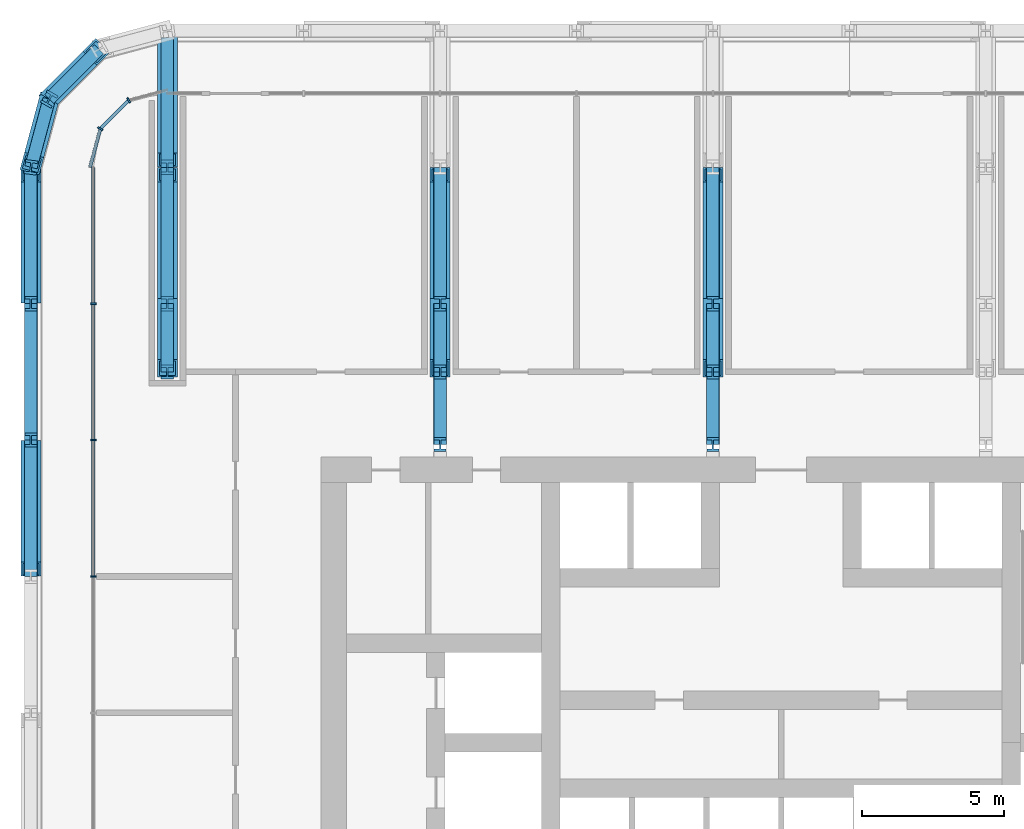
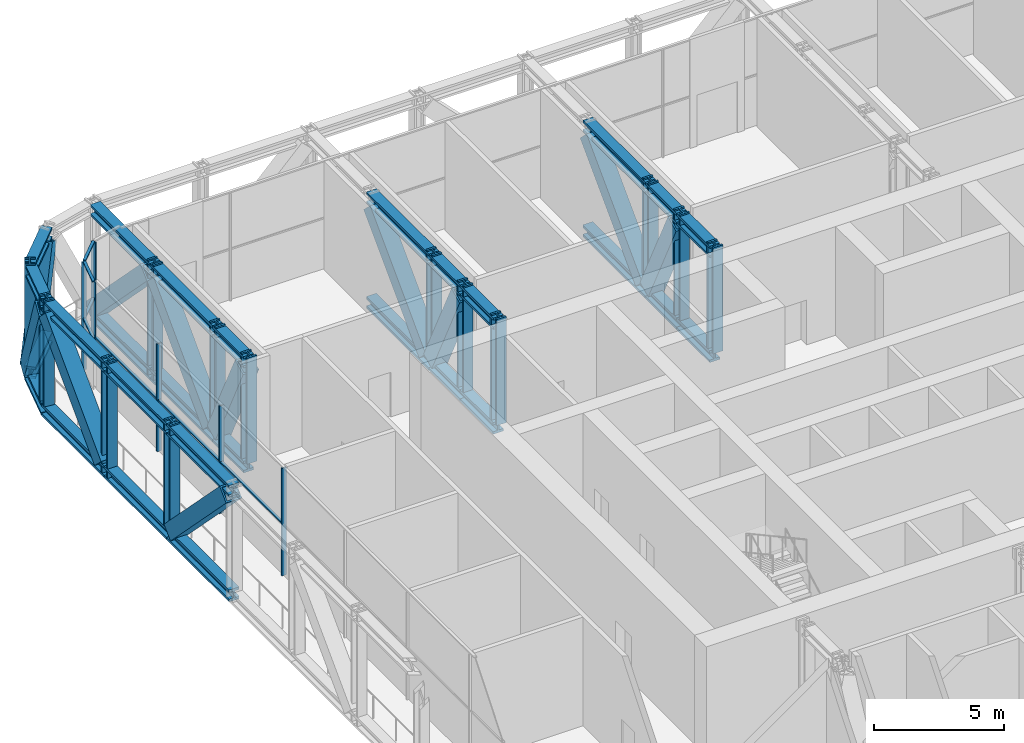
# One storey, part 8 of 23: 64 members, 2 elements without a shape of their own.
"""IFC4 building model written with IfcOpenShell, lengths in metres."""

from ifc_helpers import new_model, si_unit, direction, frame, origin, origin_2d, place, context, subcontext, project, spatial, rectangle, hollow_rectangle, i_section, extrude, material, layer, layer_set, material_profile, profile_set, type_object, element, aggregate, save


model = new_model("IFC4")

# Units and contexts
model_context = context("Model", 3, precision=1e-05, world=origin(), true_north=direction((0.0, 1.0)))
body_context = subcontext(model_context, "Body", "Model", "MODEL_VIEW")
ifc_project = project(units=[si_unit("LENGTHUNIT", "METRE"), si_unit("AREAUNIT", "SQUARE_METRE"), si_unit("VOLUMEUNIT", "CUBIC_METRE"), si_unit("PLANEANGLEUNIT", "RADIAN"), si_unit("MASSUNIT", "GRAM", prefix="KILO")], contexts=[model_context])

# Site, building, storey
site_placement = place(None, origin())
site = spatial("IfcSite", under=ifc_project, at=site_placement, CompositionType="ELEMENT")
building_placement = place(site_placement, origin())
building = spatial("IfcBuilding", under=site, at=building_placement, Name="Madar Terraces", CompositionType="ELEMENT")
storey_placement = place(building_placement, frame((0.0, 0.0, 83.800048828125)))
storey = spatial("IfcBuildingStorey", under=building, at=storey_placement, Name="L21", CompositionType="ELEMENT", Elevation=83.800048828125)

# Members
ifc_material_1 = material(Name="Steel ASTM A913 Grade 65", Category="steel")
ifc_material_profile_1 = material_profile(ifc_material_1, i_section(OverallWidth=0.449462890625, OverallDepth=0.548583984375, WebThickness=0.07177734375, FlangeThickness=0.11474609375, at=origin_2d()), Name="W14x665")
ifc_profile_set_1 = profile_set([ifc_material_profile_1], Name="Steel ASTM A913 Grade 65")
member_type_1 = type_object("IfcMemberType", Name="BC3 W14x665", PredefinedType="CHORD", material=ifc_profile_set_1)
for number, where, z_axis, x_axis, name in (
    (1, (7.199951171875, 52.156982421875, -0.145751953125), (-0.70705765096, -0.707155907999, 0.0), (0.707155907999, -0.70705765096, 0.0), "Exoskeleton truss ring bottom chord BC3"),
    (2, (5.443115234375, 50.39990234375, -0.145751953125), (-0.258824494443, -0.965924366126, 0.0), (0.965924366126, -0.258824494443, 0.0), "Exoskeleton truss ring bottom chord BC3"),
):
    element("IfcMember", number, at=place(storey_placement, frame(where, z_axis=z_axis, x_axis=x_axis)), inside=storey, type_object=member_type_1, Name=name, PredefinedType="CHORD", context=body_context, shape_type="SweptSolid", body=[
        extrude(i_section(OverallWidth=0.449462890625, OverallDepth=0.548583984375, WebThickness=0.07177734375, FlangeThickness=0.11474609375, at=origin_2d()), origin(), (0.0, 0.0, 1.0), 2.484619140625),
    ])
for number, where, z_axis, x_axis, name in (
    (3, (4.800048828125, 48.0, -0.145751953125), (0.0, -1.0, 0.0), (1.0, 0.0, 0.0), "Exoskeleton truss ring bottom chord BC3"),
    (4, (4.800048828125, 43.199951171875, -0.145751953125), (0.0, -1.0, 0.0), (1.0, 0.0, 0.0), "Exoskeleton truss ring bottom chord BC3"),
):
    element("IfcMember", number, at=place(storey_placement, frame(where, z_axis=z_axis, x_axis=x_axis)), inside=storey, type_object=member_type_1, Name=name, PredefinedType="CHORD", context=body_context, shape_type="SweptSolid", body=[
        extrude(i_section(OverallWidth=0.449462890625, OverallDepth=0.548583984375, WebThickness=0.07177734375, FlangeThickness=0.11474609375, at=origin_2d()), origin(), (0.0, 0.0, 1.0), 4.800048828125),
    ])
member_1_placement = place(storey_placement, frame((4.800048828125, 38.39990234375, -0.145751953125), z_axis=(0.0, -1.0, 0.0), x_axis=(1.0, 0.0, 0.0)))
element("IfcMember", 5, at=member_1_placement, inside=storey, type_object=member_type_1, Name="Exoskeleton truss ring bottom chord BC3", PredefinedType="CHORD", context=body_context, shape_type="SweptSolid", body=[
    extrude(i_section(OverallWidth=0.449462890625, OverallDepth=0.548583984375, WebThickness=0.07177734375, FlangeThickness=0.11474609375, at=origin_2d()), origin(), (0.0, 0.0, 1.0), 4.7998046875),
])
member_2_placement = place(storey_placement, frame((9.60009765625, 52.5751953125, -0.145751953125), z_axis=(0.0, -1.0, 0.0), x_axis=(1.0, 0.0, 0.0)))
element("IfcMember", 6, at=member_2_placement, inside=storey, type_object=member_type_1, Name="Exoskeleton truss cross N9.6 bottom chord BC3", PredefinedType="CHORD", context=body_context, shape_type="SweptSolid", body=[
    extrude(i_section(OverallWidth=0.449462890625, OverallDepth=0.548583984375, WebThickness=0.07177734375, FlangeThickness=0.11474609375, at=origin_2d()), origin(), (0.0, 0.0, 1.0), 4.5751953125),
])
member_3_placement = place(storey_placement, frame((9.60009765625, 48.0, -0.145751953125), z_axis=(0.0, -1.0, 0.0), x_axis=(1.0, 0.0, 0.0)))
element("IfcMember", 7, at=member_3_placement, inside=storey, type_object=member_type_1, Name="Exoskeleton truss cross N9.6 bottom chord BC3", PredefinedType="CHORD", context=body_context, shape_type="SweptSolid", body=[
    extrude(i_section(OverallWidth=0.449462890625, OverallDepth=0.548583984375, WebThickness=0.07177734375, FlangeThickness=0.11474609375, at=origin_2d()), origin(), (0.0, 0.0, 1.0), 4.800048828125),
])
member_4_placement = place(storey_placement, frame((9.60009765625, 43.199951171875, -0.145751953125), z_axis=(0.0, -1.0, 0.0), x_axis=(1.0, 0.0, 0.0)))
element("IfcMember", 8, at=member_4_placement, inside=storey, type_object=member_type_1, Name="Exoskeleton truss cross N9.6 bottom chord BC3", PredefinedType="CHORD", context=body_context, shape_type="SweptSolid", body=[
    extrude(i_section(OverallWidth=0.449462890625, OverallDepth=0.548583984375, WebThickness=0.07177734375, FlangeThickness=0.11474609375, at=origin_2d()), origin(), (0.0, 0.0, 1.0), 2.39990234375),
])
member_5_placement = place(storey_placement, frame((19.199951171875, 48.0, -0.145751953125), z_axis=(0.0, -1.0, 0.0), x_axis=(1.0, 0.0, 0.0)))
element("IfcMember", 9, at=member_5_placement, inside=storey, type_object=member_type_1, Name="Exoskeleton truss cross N19.2 bottom chord BC3", PredefinedType="CHORD", context=body_context, shape_type="SweptSolid", body=[
    extrude(i_section(OverallWidth=0.449462890625, OverallDepth=0.548583984375, WebThickness=0.07177734375, FlangeThickness=0.11474609375, at=origin_2d()), origin(), (0.0, 0.0, 1.0), 4.800048828125),
])
member_6_placement = place(storey_placement, frame((19.199951171875, 43.199951171875, -0.145751953125), z_axis=(0.0, -1.0, 0.0), x_axis=(1.0, 0.0, 0.0)))
element("IfcMember", 10, at=member_6_placement, inside=storey, type_object=member_type_1, Name="Exoskeleton truss cross N19.2 bottom chord BC3", PredefinedType="CHORD", context=body_context, shape_type="SweptSolid", body=[
    extrude(i_section(OverallWidth=0.449462890625, OverallDepth=0.548583984375, WebThickness=0.07177734375, FlangeThickness=0.11474609375, at=origin_2d()), origin(), (0.0, 0.0, 1.0), 2.39990234375),
])
member_7_placement = place(storey_placement, frame((19.199951171875, 40.800048828125, -0.145751953125), z_axis=(0.0, -1.0, 0.0), x_axis=(1.0, 0.0, 0.0)))
element("IfcMember", 11, at=member_7_placement, inside=storey, type_object=member_type_1, Name="Exoskeleton truss cross N19.2 bottom chord BC3", PredefinedType="CHORD", context=body_context, shape_type="SweptSolid", body=[
    extrude(i_section(OverallWidth=0.449462890625, OverallDepth=0.548583984375, WebThickness=0.07177734375, FlangeThickness=0.11474609375, at=origin_2d()), origin(), (0.0, 0.0, 1.0), 2.550048828125),
])
member_8_placement = place(storey_placement, frame((28.800048828125, 48.0, -0.145751953125), z_axis=(0.0, -1.0, 0.0), x_axis=(1.0, 0.0, 0.0)))
element("IfcMember", 12, at=member_8_placement, inside=storey, type_object=member_type_1, Name="Exoskeleton truss cross N28.8 bottom chord BC3", PredefinedType="CHORD", context=body_context, shape_type="SweptSolid", body=[
    extrude(i_section(OverallWidth=0.449462890625, OverallDepth=0.548583984375, WebThickness=0.07177734375, FlangeThickness=0.11474609375, at=origin_2d()), origin(), (0.0, 0.0, 1.0), 4.800048828125),
])
member_9_placement = place(storey_placement, frame((28.800048828125, 43.199951171875, -0.145751953125), z_axis=(0.0, -1.0, 0.0), x_axis=(1.0, 0.0, 0.0)))
element("IfcMember", 13, at=member_9_placement, inside=storey, type_object=member_type_1, Name="Exoskeleton truss cross N28.8 bottom chord BC3", PredefinedType="CHORD", context=body_context, shape_type="SweptSolid", body=[
    extrude(i_section(OverallWidth=0.449462890625, OverallDepth=0.548583984375, WebThickness=0.07177734375, FlangeThickness=0.11474609375, at=origin_2d()), origin(), (0.0, 0.0, 1.0), 2.39990234375),
])
member_10_placement = place(storey_placement, frame((28.800048828125, 40.800048828125, -0.145751953125), z_axis=(0.0, -1.0, 0.0), x_axis=(1.0, 0.0, 0.0)))
element("IfcMember", 14, at=member_10_placement, inside=storey, type_object=member_type_1, Name="Exoskeleton truss cross N28.8 bottom chord BC3", PredefinedType="CHORD", context=body_context, shape_type="SweptSolid", body=[
    extrude(i_section(OverallWidth=0.449462890625, OverallDepth=0.548583984375, WebThickness=0.07177734375, FlangeThickness=0.11474609375, at=origin_2d()), origin(), (0.0, 0.0, 1.0), 2.550048828125),
])

# Curtain wall, members
ifc_material_2 = material(Name="Glass, ceramic frit dark grey, with black aluminium frame", Category="aluminium")
ifc_layer = layer(ifc_material_2, 0.199951171875)
ifc_layer_set = layer_set([ifc_layer], Name="Facade curtain wall, tall glazing")
curtain_wall_type = type_object("IfcCurtainWallType", Name="Facade curtain wall, tall glazing", PredefinedType="NOTDEFINED", material=ifc_layer_set)
curtain_wall_1_placement = place(storey_placement, origin())
curtain_wall_1 = element("IfcCurtainWall", 15, at=curtain_wall_1_placement, inside=storey, type_object=curtain_wall_type, Name="Outer skin curtain wall west bay 1", PredefinedType="NOTDEFINED")
ifc_material_3 = material(Name="Aluminium, black anodised", Category="aluminium")
ifc_material_profile_2 = material_profile(ifc_material_3, rectangle(XDim=0.199951171875, YDim=0.06005859375, at=origin_2d()), Name="Facade mullion 60x200")
ifc_profile_set_2 = profile_set([ifc_material_profile_2], Name="Aluminium, black anodised")
member_type_2 = type_object("IfcMemberType", Name="Facade mullion 60x200", PredefinedType="MULLION", material=ifc_profile_set_2)
member_11_placement = place(storey_placement, frame((7.0, 43.199951171875, 0.0), z_axis=(0.0, 0.0, 1.0), x_axis=(1.0, 0.0, 0.0)))
member_11 = element("IfcMember", 16, at=member_11_placement, type_object=member_type_2, Name="Mullion 1", PredefinedType="MULLION", context=body_context, shape_type="SweptSolid", body=[
    extrude(rectangle(XDim=0.199951171875, YDim=0.06005859375, at=origin_2d()), origin(), (0.0, 0.0, 1.0), 5.0400390625),
])
member_12_placement = place(storey_placement, frame((7.0, 38.39990234375, 0.0), z_axis=(0.0, 0.0, 1.0), x_axis=(1.0, 0.0, 0.0)))
member_12 = element("IfcMember", 17, at=member_12_placement, type_object=member_type_2, Name="Mullion 2", PredefinedType="MULLION", context=body_context, shape_type="SweptSolid", body=[
    extrude(rectangle(XDim=0.199951171875, YDim=0.06005859375, at=origin_2d()), origin(), (0.0, 0.0, 1.0), 5.0400390625),
])
member_13_placement = place(storey_placement, frame((7.0, 33.60009765625, 0.0), z_axis=(0.0, 0.0, 1.0), x_axis=(1.0, 0.0, 0.0)))
member_13 = element("IfcMember", 18, at=member_13_placement, type_object=member_type_2, Name="Mullion 3", PredefinedType="MULLION", context=body_context, shape_type="SweptSolid", body=[
    extrude(rectangle(XDim=0.199951171875, YDim=0.06005859375, at=origin_2d()), origin(), (0.0, 0.0, 1.0), 5.0400390625),
])

curtain_wall_2_placement = place(storey_placement, origin())
curtain_wall_2 = element("IfcCurtainWall", 19, at=curtain_wall_2_placement, inside=storey, type_object=curtain_wall_type, Name="Outer skin curtain wall north-west corner", PredefinedType="NOTDEFINED")
member_14_placement = place(storey_placement, frame((8.239990234375, 50.35546875, 0.0), z_axis=(0.0, 0.0, 1.0), x_axis=(0.500000029202, -0.866025386925, 0.0)))
member_14 = element("IfcMember", 20, at=member_14_placement, type_object=member_type_2, Name="Mullion 1", PredefinedType="MULLION", context=body_context, shape_type="SweptSolid", body=[
    extrude(rectangle(XDim=0.199951171875, YDim=0.06005859375, at=origin_2d()), origin(), (0.0, 0.0, 1.0), 5.0400390625),
])
member_15_placement = place(storey_placement, frame((7.244384765625, 49.360107421875, 0.0), z_axis=(0.0, 0.0, 1.0), x_axis=(0.866025386925, -0.500000029202, 0.0)))
member_15 = element("IfcMember", 21, at=member_15_placement, type_object=member_type_2, Name="Mullion 2", PredefinedType="MULLION", context=body_context, shape_type="SweptSolid", body=[
    extrude(rectangle(XDim=0.199951171875, YDim=0.06005859375, at=origin_2d()), origin(), (0.0, 0.0, 1.0), 5.0400390625),
])

# Member
ifc_material_4 = material(Name="Aluminium, black anodised", Category="aluminium")
ifc_material_profile_3 = material_profile(ifc_material_4, rectangle(XDim=0.1201171875, YDim=0.06005859375, at=origin_2d()), Name="Facade transom 60x120")
ifc_profile_set_3 = profile_set([ifc_material_profile_3], Name="Aluminium, black anodised")
member_type_3 = type_object("IfcMemberType", Name="Facade transom 60x120", PredefinedType="USERDEFINED", material=ifc_profile_set_3)
member_16_placement = place(storey_placement, frame((7.0, 48.0, 2.39990234375), z_axis=(0.0, -1.0, 0.0), x_axis=(1.0, 0.0, 0.0)))
member_16 = element("IfcMember", 22, at=member_16_placement, type_object=member_type_3, Name="Transom 2", ObjectType="TRANSOM", PredefinedType="USERDEFINED", context=body_context, shape_type="SweptSolid", body=[
    extrude(rectangle(XDim=0.1201171875, YDim=0.06005859375, at=origin_2d()), origin(), (0.0, 0.0, 1.0), 4.77001953125),
])

member_17_placement = place(storey_placement, frame((7.0, 43.169921875, 2.39990234375), z_axis=(0.0, -1.0, 0.0), x_axis=(1.0, 0.0, 0.0)))
member_17 = element("IfcMember", 23, at=member_17_placement, type_object=member_type_3, Name="Transom 3", ObjectType="TRANSOM", PredefinedType="USERDEFINED", context=body_context, shape_type="SweptSolid", body=[
    extrude(rectangle(XDim=0.1201171875, YDim=0.06005859375, at=origin_2d()), origin(), (0.0, 0.0, 1.0), 4.739990234375),
])

member_18_placement = place(storey_placement, frame((7.0, 38.3701171875, 2.39990234375), z_axis=(0.0, -1.0, 0.0), x_axis=(1.0, 0.0, 0.0)))
member_18 = element("IfcMember", 24, at=member_18_placement, type_object=member_type_3, Name="Transom 4", ObjectType="TRANSOM", PredefinedType="USERDEFINED", context=body_context, shape_type="SweptSolid", body=[
    extrude(rectangle(XDim=0.1201171875, YDim=0.06005859375, at=origin_2d()), origin(), (0.0, 0.0, 1.0), 4.740234375),
])

aggregate(curtain_wall_1, [member_11, member_12, member_13, member_16, member_17, member_18])

member_19_placement = place(storey_placement, frame((8.21875, 50.33447265625, 5.070068359375), z_axis=(-0.707016225155, -0.707197325622, 0.0), x_axis=(0.707197325622, -0.707016225155, 0.0)))
member_19 = element("IfcMember", 25, at=member_19_placement, type_object=member_type_3, Name="Transom 3", ObjectType="TRANSOM", PredefinedType="USERDEFINED", context=body_context, shape_type="SweptSolid", body=[
    extrude(rectangle(XDim=0.1201171875, YDim=0.06005859375, at=origin_2d()), origin(), (0.0, 0.0, 1.0), 1.34814453125),
])

member_20_placement = place(storey_placement, frame((8.21875, 50.33447265625, 2.39990234375), z_axis=(-0.707016225155, -0.707197325622, 0.0), x_axis=(0.707197325622, -0.707016225155, 0.0)))
member_20 = element("IfcMember", 26, at=member_20_placement, type_object=member_type_3, Name="Transom 4", ObjectType="TRANSOM", PredefinedType="USERDEFINED", context=body_context, shape_type="SweptSolid", body=[
    extrude(rectangle(XDim=0.1201171875, YDim=0.06005859375, at=origin_2d()), origin(), (0.0, 0.0, 1.0), 1.34814453125),
])

member_21_placement = place(storey_placement, frame((7.236572265625, 49.3310546875, 5.070068359375), z_axis=(-0.258842352791, -0.965919580711, 0.0), x_axis=(0.965919580711, -0.258842352791, 0.0)))
member_21 = element("IfcMember", 27, at=member_21_placement, type_object=member_type_3, Name="Transom 5", ObjectType="TRANSOM", PredefinedType="USERDEFINED", context=body_context, shape_type="SweptSolid", body=[
    extrude(rectangle(XDim=0.1201171875, YDim=0.06005859375, at=origin_2d()), origin(), (0.0, 0.0, 1.0), 1.3779296875),
])

member_22_placement = place(storey_placement, frame((7.236572265625, 49.3310546875, 2.39990234375), z_axis=(-0.258842352791, -0.965919580711, 0.0), x_axis=(0.965919580711, -0.258842352791, 0.0)))
member_22 = element("IfcMember", 28, at=member_22_placement, type_object=member_type_3, Name="Transom 6", ObjectType="TRANSOM", PredefinedType="USERDEFINED", context=body_context, shape_type="SweptSolid", body=[
    extrude(rectangle(XDim=0.1201171875, YDim=0.06005859375, at=origin_2d()), origin(), (0.0, 0.0, 1.0), 1.3779296875),
])

aggregate(curtain_wall_2, [member_14, member_15, member_19, member_20, member_21, member_22])

# Members
ifc_material_5 = material(Name="Steel ASTM A913 Grade 65", Category="steel")
ifc_material_profile_4 = material_profile(ifc_material_5, i_section(OverallWidth=0.44189453125, OverallDepth=0.53076171875, WebThickness=0.06591796875, FlangeThickness=0.105712890625, at=origin_2d()), Name="W14x605")
ifc_profile_set_4 = profile_set([ifc_material_profile_4], Name="Steel ASTM A913 Grade 65")
member_type_4 = type_object("IfcMemberType", Name="TC3 W14x605", PredefinedType="CHORD", material=ifc_profile_set_4)
for number, where, z_axis, x_axis, name in (
    (29, (7.199951171875, 52.156982421875, 4.764404296875), (-0.70705765096, -0.707155907999, 0.0), (0.707155907999, -0.70705765096, 0.0), "Exoskeleton truss ring top chord TC3"),
    (30, (5.443115234375, 50.39990234375, 4.764404296875), (-0.258824494443, -0.965924366126, 0.0), (0.965924366126, -0.258824494443, 0.0), "Exoskeleton truss ring top chord TC3"),
):
    element("IfcMember", number, at=place(storey_placement, frame(where, z_axis=z_axis, x_axis=x_axis)), inside=storey, type_object=member_type_4, Name=name, PredefinedType="CHORD", context=body_context, shape_type="SweptSolid", body=[
        extrude(i_section(OverallWidth=0.44189453125, OverallDepth=0.53076171875, WebThickness=0.06591796875, FlangeThickness=0.105712890625, at=origin_2d()), origin(), (0.0, 0.0, 1.0), 2.484619140625),
    ])
for number, where, z_axis, x_axis, name in (
    (31, (4.800048828125, 48.0, 4.764404296875), (0.0, -1.0, 0.0), (1.0, 0.0, 0.0), "Exoskeleton truss ring top chord TC3"),
    (32, (4.800048828125, 43.199951171875, 4.764404296875), (0.0, -1.0, 0.0), (1.0, 0.0, 0.0), "Exoskeleton truss ring top chord TC3"),
):
    element("IfcMember", number, at=place(storey_placement, frame(where, z_axis=z_axis, x_axis=x_axis)), inside=storey, type_object=member_type_4, Name=name, PredefinedType="CHORD", context=body_context, shape_type="SweptSolid", body=[
        extrude(i_section(OverallWidth=0.44189453125, OverallDepth=0.53076171875, WebThickness=0.06591796875, FlangeThickness=0.105712890625, at=origin_2d()), origin(), (0.0, 0.0, 1.0), 4.800048828125),
    ])
member_23_placement = place(storey_placement, frame((4.800048828125, 38.39990234375, 4.764404296875), z_axis=(0.0, -1.0, 0.0), x_axis=(1.0, 0.0, 0.0)))
element("IfcMember", 33, at=member_23_placement, inside=storey, type_object=member_type_4, Name="Exoskeleton truss ring top chord TC3", PredefinedType="CHORD", context=body_context, shape_type="SweptSolid", body=[
    extrude(i_section(OverallWidth=0.44189453125, OverallDepth=0.53076171875, WebThickness=0.06591796875, FlangeThickness=0.105712890625, at=origin_2d()), origin(), (0.0, 0.0, 1.0), 4.7998046875),
])
member_24_placement = place(storey_placement, frame((9.60009765625, 52.5791015625, 4.764404296875), z_axis=(0.0, -1.0, 0.0), x_axis=(1.0, 0.0, 0.0)))
element("IfcMember", 34, at=member_24_placement, inside=storey, type_object=member_type_4, Name="Exoskeleton truss cross N9.6 top chord TC3", PredefinedType="CHORD", context=body_context, shape_type="SweptSolid", body=[
    extrude(i_section(OverallWidth=0.44189453125, OverallDepth=0.53076171875, WebThickness=0.06591796875, FlangeThickness=0.105712890625, at=origin_2d()), origin(), (0.0, 0.0, 1.0), 4.5791015625),
])
member_25_placement = place(storey_placement, frame((9.60009765625, 48.0, 4.764404296875), z_axis=(0.0, -1.0, 0.0), x_axis=(1.0, 0.0, 0.0)))
element("IfcMember", 35, at=member_25_placement, inside=storey, type_object=member_type_4, Name="Exoskeleton truss cross N9.6 top chord TC3", PredefinedType="CHORD", context=body_context, shape_type="SweptSolid", body=[
    extrude(i_section(OverallWidth=0.44189453125, OverallDepth=0.53076171875, WebThickness=0.06591796875, FlangeThickness=0.105712890625, at=origin_2d()), origin(), (0.0, 0.0, 1.0), 4.800048828125),
])
member_26_placement = place(storey_placement, frame((9.60009765625, 43.199951171875, 4.764404296875), z_axis=(0.0, -1.0, 0.0), x_axis=(1.0, 0.0, 0.0)))
element("IfcMember", 36, at=member_26_placement, inside=storey, type_object=member_type_4, Name="Exoskeleton truss cross N9.6 top chord TC3", PredefinedType="CHORD", context=body_context, shape_type="SweptSolid", body=[
    extrude(i_section(OverallWidth=0.44189453125, OverallDepth=0.53076171875, WebThickness=0.06591796875, FlangeThickness=0.105712890625, at=origin_2d()), origin(), (0.0, 0.0, 1.0), 2.39990234375),
])
member_27_placement = place(storey_placement, frame((19.199951171875, 48.0, 4.764404296875), z_axis=(0.0, -1.0, 0.0), x_axis=(1.0, 0.0, 0.0)))
element("IfcMember", 37, at=member_27_placement, inside=storey, type_object=member_type_4, Name="Exoskeleton truss cross N19.2 top chord TC3", PredefinedType="CHORD", context=body_context, shape_type="SweptSolid", body=[
    extrude(i_section(OverallWidth=0.44189453125, OverallDepth=0.53076171875, WebThickness=0.06591796875, FlangeThickness=0.105712890625, at=origin_2d()), origin(), (0.0, 0.0, 1.0), 4.800048828125),
])
member_28_placement = place(storey_placement, frame((19.199951171875, 43.199951171875, 4.764404296875), z_axis=(0.0, -1.0, 0.0), x_axis=(1.0, 0.0, 0.0)))
element("IfcMember", 38, at=member_28_placement, inside=storey, type_object=member_type_4, Name="Exoskeleton truss cross N19.2 top chord TC3", PredefinedType="CHORD", context=body_context, shape_type="SweptSolid", body=[
    extrude(i_section(OverallWidth=0.44189453125, OverallDepth=0.53076171875, WebThickness=0.06591796875, FlangeThickness=0.105712890625, at=origin_2d()), origin(), (0.0, 0.0, 1.0), 2.39990234375),
])
member_29_placement = place(storey_placement, frame((19.199951171875, 40.800048828125, 4.764404296875), z_axis=(0.0, -1.0, 0.0), x_axis=(1.0, 0.0, 0.0)))
element("IfcMember", 39, at=member_29_placement, inside=storey, type_object=member_type_4, Name="Exoskeleton truss cross N19.2 top chord TC3", PredefinedType="CHORD", context=body_context, shape_type="SweptSolid", body=[
    extrude(i_section(OverallWidth=0.44189453125, OverallDepth=0.53076171875, WebThickness=0.06591796875, FlangeThickness=0.105712890625, at=origin_2d()), origin(), (0.0, 0.0, 1.0), 2.550048828125),
])
member_30_placement = place(storey_placement, frame((28.800048828125, 48.0, 4.764404296875), z_axis=(0.0, -1.0, 0.0), x_axis=(1.0, 0.0, 0.0)))
element("IfcMember", 40, at=member_30_placement, inside=storey, type_object=member_type_4, Name="Exoskeleton truss cross N28.8 top chord TC3", PredefinedType="CHORD", context=body_context, shape_type="SweptSolid", body=[
    extrude(i_section(OverallWidth=0.44189453125, OverallDepth=0.53076171875, WebThickness=0.06591796875, FlangeThickness=0.105712890625, at=origin_2d()), origin(), (0.0, 0.0, 1.0), 4.800048828125),
])
member_31_placement = place(storey_placement, frame((28.800048828125, 43.199951171875, 4.764404296875), z_axis=(0.0, -1.0, 0.0), x_axis=(1.0, 0.0, 0.0)))
element("IfcMember", 41, at=member_31_placement, inside=storey, type_object=member_type_4, Name="Exoskeleton truss cross N28.8 top chord TC3", PredefinedType="CHORD", context=body_context, shape_type="SweptSolid", body=[
    extrude(i_section(OverallWidth=0.44189453125, OverallDepth=0.53076171875, WebThickness=0.06591796875, FlangeThickness=0.105712890625, at=origin_2d()), origin(), (0.0, 0.0, 1.0), 2.39990234375),
])
member_32_placement = place(storey_placement, frame((28.800048828125, 40.800048828125, 4.764404296875), z_axis=(0.0, -1.0, 0.0), x_axis=(1.0, 0.0, 0.0)))
element("IfcMember", 42, at=member_32_placement, inside=storey, type_object=member_type_4, Name="Exoskeleton truss cross N28.8 top chord TC3", PredefinedType="CHORD", context=body_context, shape_type="SweptSolid", body=[
    extrude(i_section(OverallWidth=0.44189453125, OverallDepth=0.53076171875, WebThickness=0.06591796875, FlangeThickness=0.105712890625, at=origin_2d()), origin(), (0.0, 0.0, 1.0), 2.550048828125),
])
ifc_material_6 = material(Name="Steel ASTM A572 Grade 50", Category="steel")
ifc_material_profile_5 = material_profile(ifc_material_6, hollow_rectangle(XDim=0.699951171875, YDim=0.699951171875, WallThickness=0.070068359375, at=origin_2d()), Name="BOX700x700x70")
ifc_profile_set_5 = profile_set([ifc_material_profile_5], Name="Steel ASTM A572 Grade 50")
member_type_5 = type_object("IfcMemberType", Name="TD3 BOX700x700x70", PredefinedType="BRACE", material=ifc_profile_set_5)
for number, where, z_axis, x_axis, name in (
    (43, (7.10498046875, 52.06201171875, 4.4990234375), (-0.319251243571, -0.319301087637, -0.892258627816), (0.707161974316, -0.707051583749, 0.0), "Exoskeleton truss ring diagonal TD3"),
    (44, (5.4072265625, 50.265869140625, 0.128662109375), (-0.116884238668, -0.436135218911, 0.892257891854), (0.965913556274, -0.258864833081, 0.0), "Exoskeleton truss ring diagonal TD3"),
):
    element("IfcMember", number, at=place(storey_placement, frame(where, z_axis=z_axis, x_axis=x_axis)), inside=storey, type_object=member_type_5, Name=name, PredefinedType="BRACE", context=body_context, shape_type="SweptSolid", body=[
        extrude(hollow_rectangle(XDim=0.699951171875, YDim=0.699951171875, WallThickness=0.070068359375, at=origin_2d()), origin(), (0.0, 0.0, 1.0), 4.898193359375),
    ])
member_33_placement = place(storey_placement, frame((4.800048828125, 47.740478515625, 4.4990234375), z_axis=(0.0, -0.699031853378, -0.715090531306), x_axis=(1.0, 0.0, 0.0)))
element("IfcMember", 45, at=member_33_placement, inside=storey, type_object=member_type_5, Name="Exoskeleton truss ring diagonal TD3", PredefinedType="BRACE", context=body_context, shape_type="SweptSolid", body=[
    extrude(hollow_rectangle(XDim=0.699951171875, YDim=0.699951171875, WallThickness=0.070068359375, at=origin_2d()), origin(), (0.0, 0.0, 1.0), 6.111572265625),
])
member_34_placement = place(storey_placement, frame((4.800048828125, 38.1318359375, 0.128662109375), z_axis=(0.0, -0.699052279579, 0.715070563242), x_axis=(1.0, 0.0, 0.0)))
element("IfcMember", 46, at=member_34_placement, inside=storey, type_object=member_type_5, Name="Exoskeleton truss ring diagonal TD3", PredefinedType="BRACE", context=body_context, shape_type="SweptSolid", body=[
    extrude(hollow_rectangle(XDim=0.699951171875, YDim=0.699951171875, WallThickness=0.070068359375, at=origin_2d()), origin(), (0.0, 0.0, 1.0), 6.11181640625),
])
for number, where, z_axis, x_axis, name in (
    (47, (9.60009765625, 52.53173828125, 0.128662109375), (0.0, -0.699031853378, 0.715090531306), (1.0, 0.0, 0.0), "Exoskeleton truss cross N9.6 diagonal TD3"),
    (48, (9.60009765625, 47.740478515625, 4.4990234375), (0.0, -0.699031853378, -0.715090531306), (1.0, 0.0, 0.0), "Exoskeleton truss cross N9.6 diagonal TD3"),
):
    element("IfcMember", number, at=place(storey_placement, frame(where, z_axis=z_axis, x_axis=x_axis)), inside=storey, type_object=member_type_5, Name=name, PredefinedType="BRACE", context=body_context, shape_type="SweptSolid", body=[
        extrude(hollow_rectangle(XDim=0.699951171875, YDim=0.699951171875, WallThickness=0.070068359375, at=origin_2d()), origin(), (0.0, 0.0, 1.0), 6.111572265625),
    ])
member_35_placement = place(storey_placement, frame((9.60009765625, 43.06591796875, 0.128662109375), z_axis=(0.0, -0.439145320484, 0.898416043655), x_axis=(1.0, 0.0, 0.0)))
element("IfcMember", 49, at=member_35_placement, inside=storey, type_object=member_type_5, Name="Exoskeleton truss cross N9.6 diagonal TD3", PredefinedType="BRACE", context=body_context, shape_type="SweptSolid", body=[
    extrude(hollow_rectangle(XDim=0.699951171875, YDim=0.699951171875, WallThickness=0.070068359375, at=origin_2d()), origin(), (0.0, 0.0, 1.0), 4.864501953125),
])
member_36_placement = place(storey_placement, frame((19.199951171875, 47.740478515625, 4.4990234375), z_axis=(0.0, -0.699031853378, -0.715090531306), x_axis=(1.0, 0.0, 0.0)))
element("IfcMember", 50, at=member_36_placement, inside=storey, type_object=member_type_5, Name="Exoskeleton truss cross N19.2 diagonal TD3", PredefinedType="BRACE", context=body_context, shape_type="SweptSolid", body=[
    extrude(hollow_rectangle(XDim=0.699951171875, YDim=0.699951171875, WallThickness=0.070068359375, at=origin_2d()), origin(), (0.0, 0.0, 1.0), 6.111572265625),
])
member_37_placement = place(storey_placement, frame((19.199951171875, 43.06591796875, 0.128662109375), z_axis=(0.0, -0.439145320484, 0.898416043655), x_axis=(1.0, 0.0, 0.0)))
element("IfcMember", 51, at=member_37_placement, inside=storey, type_object=member_type_5, Name="Exoskeleton truss cross N19.2 diagonal TD3", PredefinedType="BRACE", context=body_context, shape_type="SweptSolid", body=[
    extrude(hollow_rectangle(XDim=0.699951171875, YDim=0.699951171875, WallThickness=0.070068359375, at=origin_2d()), origin(), (0.0, 0.0, 1.0), 4.864501953125),
])
member_38_placement = place(storey_placement, frame((28.800048828125, 47.740478515625, 4.4990234375), z_axis=(0.0, -0.699031853378, -0.715090531306), x_axis=(1.0, 0.0, 0.0)))
element("IfcMember", 52, at=member_38_placement, inside=storey, type_object=member_type_5, Name="Exoskeleton truss cross N28.8 diagonal TD3", PredefinedType="BRACE", context=body_context, shape_type="SweptSolid", body=[
    extrude(hollow_rectangle(XDim=0.699951171875, YDim=0.699951171875, WallThickness=0.070068359375, at=origin_2d()), origin(), (0.0, 0.0, 1.0), 6.111572265625),
])
member_39_placement = place(storey_placement, frame((28.800048828125, 43.06591796875, 0.128662109375), z_axis=(0.0, -0.439145320484, 0.898416043655), x_axis=(1.0, 0.0, 0.0)))
element("IfcMember", 53, at=member_39_placement, inside=storey, type_object=member_type_5, Name="Exoskeleton truss cross N28.8 diagonal TD3", PredefinedType="BRACE", context=body_context, shape_type="SweptSolid", body=[
    extrude(hollow_rectangle(XDim=0.699951171875, YDim=0.699951171875, WallThickness=0.070068359375, at=origin_2d()), origin(), (0.0, 0.0, 1.0), 4.864501953125),
])
ifc_material_7 = material(Name="Steel ASTM A913 Grade 65", Category="steel")
ifc_material_profile_6 = material_profile(ifc_material_7, i_section(OverallWidth=0.431884765625, OverallDepth=0.497802734375, WebThickness=0.0556640625, FlangeThickness=0.0888671875, at=origin_2d()), Name="W14x500")
ifc_profile_set_6 = profile_set([ifc_material_profile_6], Name="Steel ASTM A913 Grade 65")
member_type_6 = type_object("IfcMemberType", Name="TV3 W14x500", PredefinedType="POST", material=ifc_profile_set_6)
for number, where, z_axis, x_axis, name in (
    (54, (5.443115234375, 50.39990234375, 0.128662109375), (0.0, 0.0, 1.0), (0.866025412511, -0.499999984885, 0.0), "Exoskeleton truss ring post TV3"),
    (55, (4.800048828125, 48.0, 0.128662109375), (0.0, 0.0, 1.0), (0.991444863652, -0.130526174916, 0.0), "Exoskeleton truss ring post TV3"),
):
    element("IfcMember", number, at=place(storey_placement, frame(where, z_axis=z_axis, x_axis=x_axis)), inside=storey, type_object=member_type_6, Name=name, PredefinedType="POST", context=body_context, shape_type="SweptSolid", body=[
        extrude(i_section(OverallWidth=0.431884765625, OverallDepth=0.497802734375, WebThickness=0.0556640625, FlangeThickness=0.0888671875, at=origin_2d()), origin(), (0.0, 0.0, 1.0), 4.97119140625),
    ])
member_40_placement = place(storey_placement, frame((4.800048828125, 43.199951171875, -0.420166015625), z_axis=(0.0, 0.0, 1.0), x_axis=(1.0, 0.0, 0.0)))
element("IfcMember", 56, at=member_40_placement, inside=storey, type_object=member_type_6, Name="Exoskeleton truss ring post TV3", PredefinedType="POST", context=body_context, shape_type="SweptSolid", body=[
    extrude(i_section(OverallWidth=0.431884765625, OverallDepth=0.497802734375, WebThickness=0.0556640625, FlangeThickness=0.0888671875, at=origin_2d()), origin(), (0.0, 0.0, 1.0), 5.52001953125),
])
member_41_placement = place(storey_placement, frame((4.800048828125, 38.39990234375, 0.128662109375), z_axis=(0.0, 0.0, 1.0), x_axis=(1.0, 0.0, 0.0)))
element("IfcMember", 57, at=member_41_placement, inside=storey, type_object=member_type_6, Name="Exoskeleton truss ring post TV3", PredefinedType="POST", context=body_context, shape_type="SweptSolid", body=[
    extrude(i_section(OverallWidth=0.431884765625, OverallDepth=0.497802734375, WebThickness=0.0556640625, FlangeThickness=0.0888671875, at=origin_2d()), origin(), (0.0, 0.0, 1.0), 4.97119140625),
])
member_42_placement = place(storey_placement, frame((9.60009765625, 48.0, -0.420166015625), z_axis=(0.0, 0.0, 1.0), x_axis=(-1.0, 0.0, 0.0)))
element("IfcMember", 58, at=member_42_placement, inside=storey, type_object=member_type_6, Name="Exoskeleton truss cross N9.6 post TV3", PredefinedType="POST", context=body_context, shape_type="SweptSolid", body=[
    extrude(i_section(OverallWidth=0.431884765625, OverallDepth=0.497802734375, WebThickness=0.0556640625, FlangeThickness=0.0888671875, at=origin_2d()), origin(), (0.0, 0.0, 1.0), 5.52001953125),
])
for number, where, z_axis, x_axis, name in (
    (59, (9.60009765625, 43.199951171875, 0.128662109375), (0.0, 0.0, 1.0), (-1.0, 0.0, 0.0), "Exoskeleton truss cross N9.6 post TV3"),
    (60, (9.60009765625, 40.800048828125, 0.128662109375), (0.0, 0.0, 1.0), (-1.0, 0.0, 0.0), "Exoskeleton truss cross N9.6 post TV3"),
    (61, (19.199951171875, 43.199951171875, 0.128662109375), (0.0, 0.0, 1.0), (-1.0, 0.0, 0.0), "Exoskeleton truss cross N19.2 post TV3"),
    (62, (19.199951171875, 40.800048828125, 0.128662109375), (0.0, 0.0, 1.0), (-1.0, 0.0, 0.0), "Exoskeleton truss cross N19.2 post TV3"),
    (63, (19.199951171875, 38.25, 0.128662109375), (0.0, 0.0, 1.0), (-1.0, 0.0, 0.0), "Exoskeleton truss cross N19.2 post TV3"),
    (64, (28.800048828125, 43.199951171875, 0.128662109375), (0.0, 0.0, 1.0), (-1.0, 0.0, 0.0), "Exoskeleton truss cross N28.8 post TV3"),
    (65, (28.800048828125, 40.800048828125, 0.128662109375), (0.0, 0.0, 1.0), (-1.0, 0.0, 0.0), "Exoskeleton truss cross N28.8 post TV3"),
    (66, (28.800048828125, 38.25, 0.128662109375), (0.0, 0.0, 1.0), (-1.0, 0.0, 0.0), "Exoskeleton truss cross N28.8 post TV3"),
):
    element("IfcMember", number, at=place(storey_placement, frame(where, z_axis=z_axis, x_axis=x_axis)), inside=storey, type_object=member_type_6, Name=name, PredefinedType="POST", context=body_context, shape_type="SweptSolid", body=[
        extrude(i_section(OverallWidth=0.431884765625, OverallDepth=0.497802734375, WebThickness=0.0556640625, FlangeThickness=0.0888671875, at=origin_2d()), origin(), (0.0, 0.0, 1.0), 4.97119140625),
    ])

save(model, "model.ifc")
